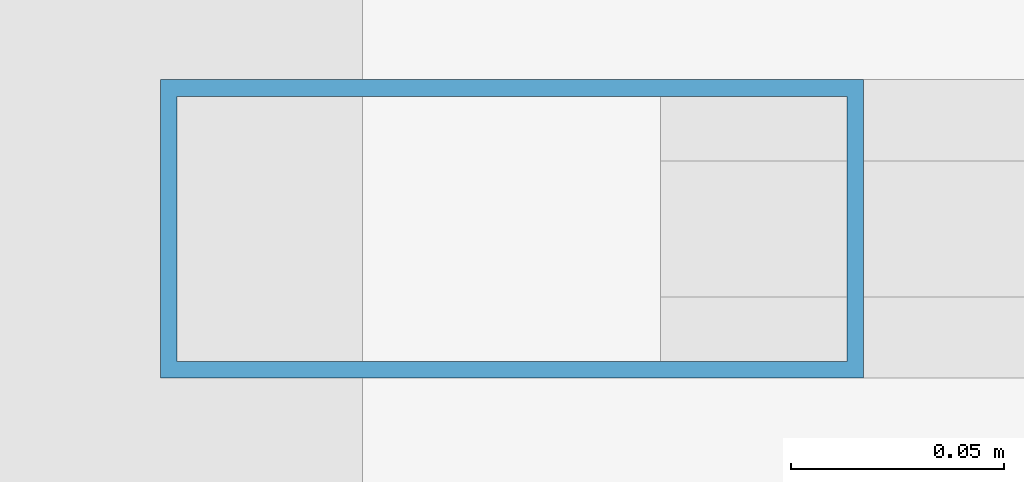
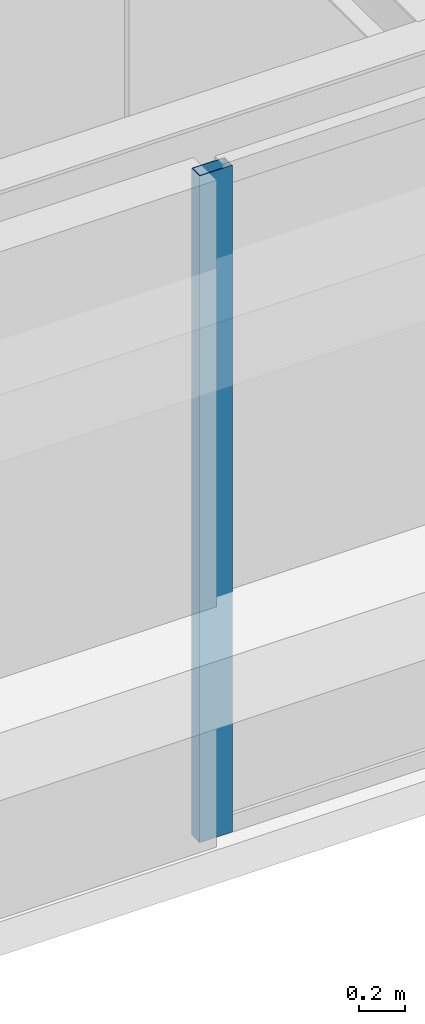
# One storey, part 4 of 44: 1 member, 1 element without a shape of its own.
"""IFC4 building model written with IfcOpenShell, lengths in metres."""

from ifc_helpers import new_model, si_unit, direction, frame, origin, origin_2d, place, context, subcontext, project, spatial, hollow_rectangle, extrude, material, material_profile, profile_set, type_object, element, aggregate, save


model = new_model("IFC4")

# Units and contexts
model_context = context("Model", 3, precision=1e-05, world=origin(), true_north=direction((0.0, 1.0)))
body_context = subcontext(model_context, "Body", "Model", "MODEL_VIEW")
ifc_project = project(units=[si_unit("LENGTHUNIT", "METRE"), si_unit("AREAUNIT", "SQUARE_METRE"), si_unit("VOLUMEUNIT", "CUBIC_METRE"), si_unit("PLANEANGLEUNIT", "RADIAN"), si_unit("MASSUNIT", "GRAM", prefix="KILO")], contexts=[model_context])

# Site, building, storey
site_placement = place(None, origin())
site = spatial("IfcSite", under=ifc_project, at=site_placement, CompositionType="ELEMENT")
building_placement = place(site_placement, origin())
building = spatial("IfcBuilding", under=site, at=building_placement, Name="Tashvorn Skyway Center", CompositionType="ELEMENT")
storey_placement = place(building_placement, frame((0.0, 0.0, 211.300048828125)))
storey = spatial("IfcBuildingStorey", under=building, at=storey_placement, Name="L57", CompositionType="ELEMENT", Elevation=211.300048828125)

# Curtain wall, member
ifc_material = material(Name="Thermally broken bronze-anodized aluminium 6063-T6", Category="aluminium")
curtain_wall_type = type_object("IfcCurtainWallType", Name="CW-CW-Z5", PredefinedType="NOTDEFINED", material=ifc_material)
curtain_wall_placement = place(storey_placement, origin())
curtain_wall = element("IfcCurtainWall", 1, at=curtain_wall_placement, inside=storey, type_object=curtain_wall_type, Name="Tower 1 L57 South Unitised Curtain Wall Glazing Group 2", PredefinedType="NOTDEFINED")
ifc_material_profile = material_profile(ifc_material, hollow_rectangle(XDim=0.070068359375, YDim=0.1650390625, WallThickness=0.00390625, at=origin_2d()), Name="ALU-MULL-70x165")
ifc_profile_set = profile_set([ifc_material_profile], Name="Thermally broken bronze-anodized aluminium 6063-T6")
member_type = type_object("IfcMemberType", Name="CWM-CW-Z5", PredefinedType="MULLION", material=ifc_profile_set)
member_placement = place(storey_placement, frame((40.45947265625, 15.719970703125, 0.0), z_axis=(0.0, 0.0, 1.0), x_axis=(0.0, -1.0, 0.0)))
member = element("IfcMember", 2, at=member_placement, type_object=member_type, Name="CW-Z5 mullion 2", PredefinedType="MULLION", context=body_context, shape_type="SweptSolid", body=[
    extrude(hollow_rectangle(XDim=0.070068359375, YDim=0.1650390625, WallThickness=0.00390625, at=origin_2d()), origin(), (0.0, 0.0, 1.0), 3.550048828125),
])
aggregate(curtain_wall, [member])

save(model, "model.ifc")
